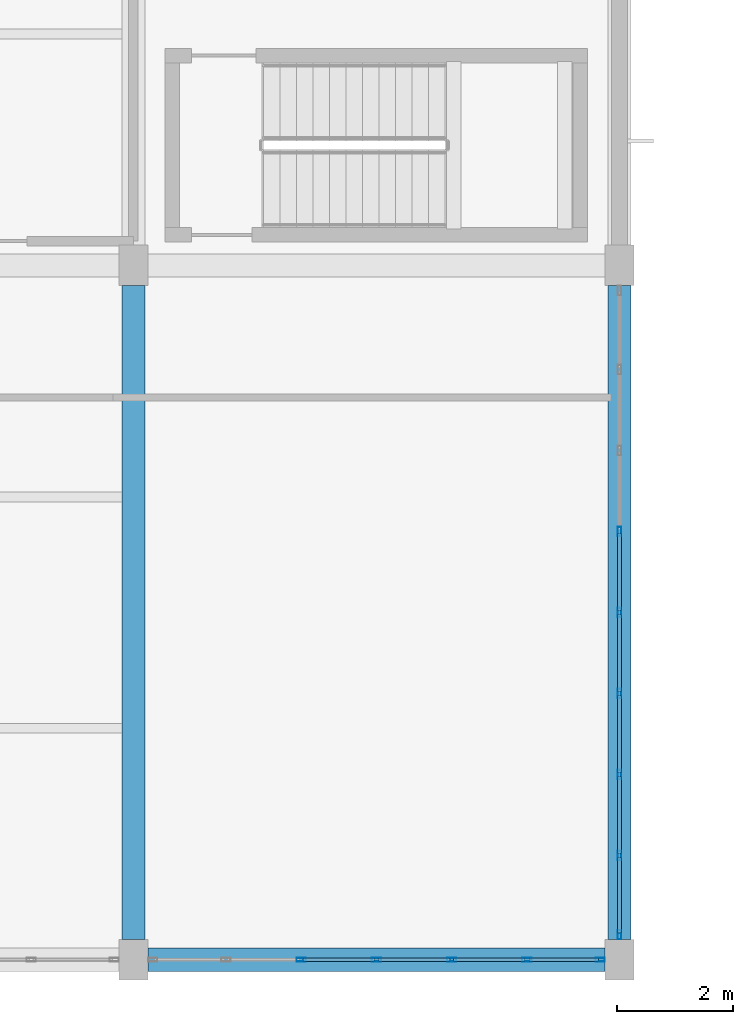
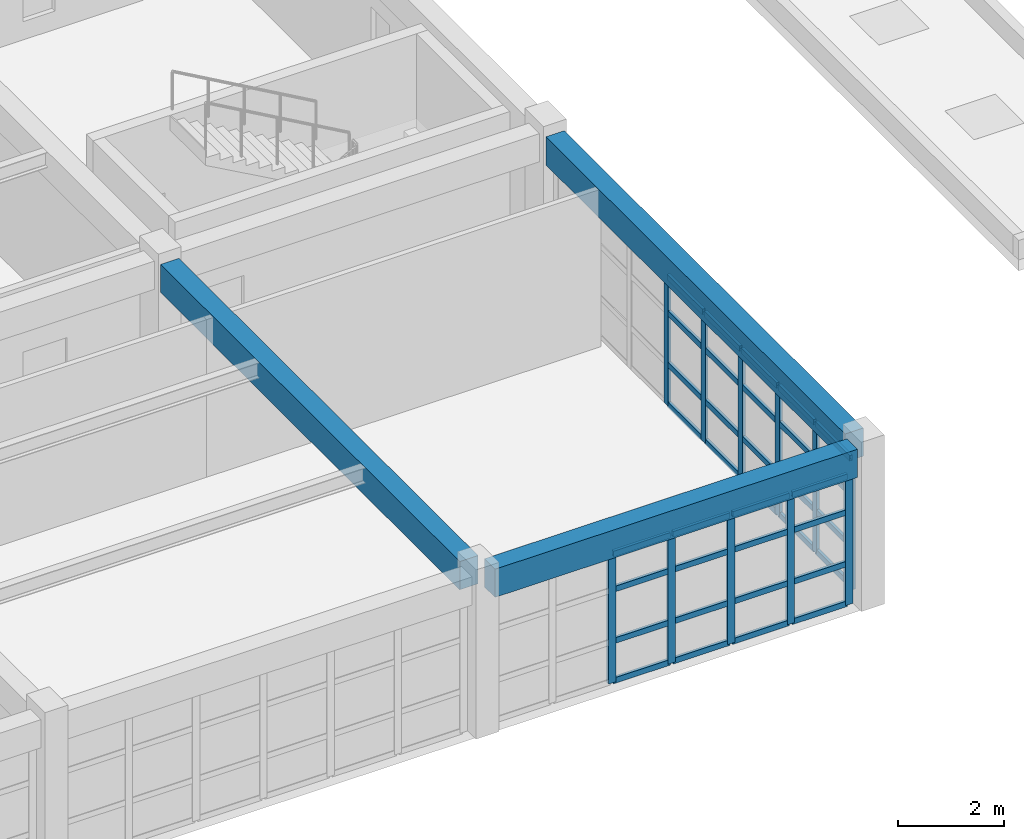
# One storey, part 32 of 150: 47 members, 3 beams, 2 elements without a shape of their own.
"""IFC4 building model written with IfcOpenShell, lengths in metres."""

from ifc_helpers import new_model, si_unit, direction, frame, origin, origin_2d, place, context, subcontext, project, spatial, rectangle, hollow_rectangle, extrude, material, material_profile, profile_set, type_object, element, aggregate, save


model = new_model("IFC4")

# Units and contexts
model_context = context("Model", 3, precision=1e-05, world=origin(), true_north=direction((0.0, 1.0)))
body_context = subcontext(model_context, "Body", "Model", "MODEL_VIEW")
ifc_project = project(units=[si_unit("LENGTHUNIT", "METRE"), si_unit("AREAUNIT", "SQUARE_METRE"), si_unit("VOLUMEUNIT", "CUBIC_METRE"), si_unit("PLANEANGLEUNIT", "RADIAN"), si_unit("MASSUNIT", "GRAM", prefix="KILO")], contexts=[model_context])

# Site, building, storey
site_placement = place(None, origin())
site = spatial("IfcSite", under=ifc_project, at=site_placement, CompositionType="ELEMENT")
building_placement = place(site_placement, origin())
building = spatial("IfcBuilding", under=site, at=building_placement, Name="Kestramere Prow Commons", CompositionType="ELEMENT")
storey_placement = place(building_placement, frame((0.0, 0.0, 4.5)))
storey = spatial("IfcBuildingStorey", under=building, at=storey_placement, Name="L01", CompositionType="ELEMENT", Elevation=4.5)

# Beams
ifc_material_1 = material(Name="Precast concrete C40/50", Category="concrete")
ifc_material_profile_1 = material_profile(ifc_material_1, rectangle(XDim=0.39990234375, YDim=0.64990234375, at=origin_2d()), Name="PC-BM 400x650")
ifc_profile_set_1 = profile_set([ifc_material_profile_1], Name="Precast concrete C40/50")
beam_type_1 = type_object("IfcBeamType", Name="BM-MK-01 PC-BM 400x650", PredefinedType="BEAM", material=ifc_profile_set_1)
beam_1_placement = place(storey_placement, frame((103.60009765625, 0.35009765625, 3.324951171875), z_axis=(0.0, 1.0, 0.0), x_axis=(-1.0, 0.0, 0.0)))
element("IfcBeam", 1, at=beam_1_placement, inside=storey, type_object=beam_type_1, Name="Market Spine L01 Beam Y 6-1", PredefinedType="BEAM", context=body_context, shape_type="SweptSolid", body=[
    extrude(rectangle(XDim=0.39990234375, YDim=0.64990234375, at=origin_2d()), origin(), (0.0, 0.0, 1.0), 11.2998046875),
])
ifc_material_profile_2 = material_profile(ifc_material_1, rectangle(XDim=0.39990234375, YDim=0.64990234375, at=origin_2d()), Name="PC-BM 400x650")
ifc_profile_set_2 = profile_set([ifc_material_profile_2], Name="Precast concrete C40/50")
beam_type_2 = type_object("IfcBeamType", Name="BM-MK-01 PC-BM 400x650 (EX)", PredefinedType="BEAM", material=ifc_profile_set_2)
beam_2_placement = place(storey_placement, frame((103.85009765625, 0.0, 3.324951171875), z_axis=(1.0, 0.0, 0.0), x_axis=(0.0, 1.0, 0.0)))
element("IfcBeam", 2, at=beam_2_placement, inside=storey, type_object=beam_type_2, Name="Market Spine L01 Beam X 1-6", PredefinedType="BEAM", context=body_context, shape_type="SweptSolid", body=[
    extrude(rectangle(XDim=0.39990234375, YDim=0.64990234375, at=origin_2d()), origin(), (0.0, 0.0, 1.0), 7.89990234375),
])
beam_3_placement = place(storey_placement, frame((112.0, 0.35009765625, 3.324951171875), z_axis=(0.0, 1.0, 0.0), x_axis=(-1.0, 0.0, 0.0)))
element("IfcBeam", 3, at=beam_3_placement, inside=storey, type_object=beam_type_2, Name="Market Spine L01 Beam Y 7-1", PredefinedType="BEAM", context=body_context, shape_type="SweptSolid", body=[
    extrude(rectangle(XDim=0.39990234375, YDim=0.64990234375, at=origin_2d()), origin(), (0.0, 0.0, 1.0), 11.2998046875),
])

# Curtain wall, members
ifc_material_2 = material(Name="Anodised Aluminium and Low-E Glass", Category="aluminium")
curtain_wall_type_1 = type_object("IfcCurtainWallType", Name="CW-23 Glazed Curtain Wall 7800x2990", PredefinedType="USERDEFINED", material=ifc_material_2)
curtain_wall_1_placement = place(storey_placement, origin())
curtain_wall_1 = element("IfcCurtainWall", 4, at=curtain_wall_1_placement, inside=storey, type_object=curtain_wall_type_1, Name="Market L01 South Shopfront 6", ObjectType="GLAZED CURTAIN WALL", PredefinedType="USERDEFINED")
ifc_material_3 = material(Name="Anodised Aluminium 6063-T6", Category="aluminium")
ifc_material_profile_3 = material_profile(ifc_material_3, hollow_rectangle(XDim=0.06494140625, YDim=0.159912109375, WallThickness=0.00390625, at=origin_2d()), Name="ALU-MUL 65x160")
ifc_profile_set_3 = profile_set([ifc_material_profile_3], Name="Anodised Aluminium 6063-T6")
member_type_1 = type_object("IfcMemberType", Name="CW-MUL-65x160", PredefinedType="MULLION", material=ifc_profile_set_3)
member_1_placement = place(storey_placement, frame((111.66748046875, 0.0, 0.0), z_axis=(0.0, 0.0, 1.0), x_axis=(0.0, -1.0, 0.0)))
member_1 = element("IfcMember", 5, at=member_1_placement, type_object=member_type_1, Name="CW-23 mullion 1", PredefinedType="MULLION", context=body_context, shape_type="SweptSolid", body=[
    extrude(hollow_rectangle(XDim=0.06494140625, YDim=0.159912109375, WallThickness=0.00390625, at=origin_2d()), origin(), (0.0, 0.0, 1.0), 2.989990234375),
])
member_2_placement = place(storey_placement, frame((110.39990234375, 0.0, 0.0), z_axis=(0.0, 0.0, 1.0), x_axis=(0.0, -1.0, 0.0)))
member_2 = element("IfcMember", 6, at=member_2_placement, type_object=member_type_1, Name="CW-23 mullion 2", PredefinedType="MULLION", context=body_context, shape_type="SweptSolid", body=[
    extrude(hollow_rectangle(XDim=0.06494140625, YDim=0.159912109375, WallThickness=0.00390625, at=origin_2d()), origin(), (0.0, 0.0, 1.0), 2.989990234375),
])
member_3_placement = place(storey_placement, frame((109.10009765625, 0.0, 0.0), z_axis=(0.0, 0.0, 1.0), x_axis=(0.0, -1.0, 0.0)))
member_3 = element("IfcMember", 7, at=member_3_placement, type_object=member_type_1, Name="CW-23 mullion 3", PredefinedType="MULLION", context=body_context, shape_type="SweptSolid", body=[
    extrude(hollow_rectangle(XDim=0.06494140625, YDim=0.159912109375, WallThickness=0.00390625, at=origin_2d()), origin(), (0.0, 0.0, 1.0), 2.989990234375),
])
member_4_placement = place(storey_placement, frame((107.800048828125, 0.0, 0.0), z_axis=(0.0, 0.0, 1.0), x_axis=(0.0, -1.0, 0.0)))
member_4 = element("IfcMember", 8, at=member_4_placement, type_object=member_type_1, Name="CW-23 mullion 4", PredefinedType="MULLION", context=body_context, shape_type="SweptSolid", body=[
    extrude(hollow_rectangle(XDim=0.06494140625, YDim=0.159912109375, WallThickness=0.00390625, at=origin_2d()), origin(), (0.0, 0.0, 1.0), 2.989990234375),
])
member_5_placement = place(storey_placement, frame((106.5, 0.0, 0.0), z_axis=(0.0, 0.0, 1.0), x_axis=(0.0, -1.0, 0.0)))
member_5 = element("IfcMember", 9, at=member_5_placement, type_object=member_type_1, Name="CW-23 mullion 5", PredefinedType="MULLION", context=body_context, shape_type="SweptSolid", body=[
    extrude(hollow_rectangle(XDim=0.06494140625, YDim=0.159912109375, WallThickness=0.00390625, at=origin_2d()), origin(), (0.0, 0.0, 1.0), 2.989990234375),
])

curtain_wall_type_2 = type_object("IfcCurtainWallType", Name="CW-27 Glazed Curtain Wall 11200x2990", PredefinedType="USERDEFINED", material=ifc_material_2)
curtain_wall_2_placement = place(storey_placement, origin())
curtain_wall_2 = element("IfcCurtainWall", 10, at=curtain_wall_2_placement, inside=storey, type_object=curtain_wall_type_2, Name="Market L01 E Glazing", ObjectType="GLAZED CURTAIN WALL", PredefinedType="USERDEFINED")
member_6_placement = place(storey_placement, frame((112.0, 7.39990234375, 0.0), z_axis=(0.0, 0.0, 1.0), x_axis=(1.0, 0.0, 0.0)))
member_6 = element("IfcMember", 11, at=member_6_placement, type_object=member_type_1, Name="CW-27 mullion 4", PredefinedType="MULLION", context=body_context, shape_type="SweptSolid", body=[
    extrude(hollow_rectangle(XDim=0.06494140625, YDim=0.159912109375, WallThickness=0.00390625, at=origin_2d()), origin(), (0.0, 0.0, 1.0), 2.989990234375),
])
member_7_placement = place(storey_placement, frame((112.0, 6.0, 0.0), z_axis=(0.0, 0.0, 1.0), x_axis=(1.0, 0.0, 0.0)))
member_7 = element("IfcMember", 12, at=member_7_placement, type_object=member_type_1, Name="CW-27 mullion 5", PredefinedType="MULLION", context=body_context, shape_type="SweptSolid", body=[
    extrude(hollow_rectangle(XDim=0.06494140625, YDim=0.159912109375, WallThickness=0.00390625, at=origin_2d()), origin(), (0.0, 0.0, 1.0), 2.989990234375),
])
member_8_placement = place(storey_placement, frame((112.0, 4.60009765625, 0.0), z_axis=(0.0, 0.0, 1.0), x_axis=(1.0, 0.0, 0.0)))
member_8 = element("IfcMember", 13, at=member_8_placement, type_object=member_type_1, Name="CW-27 mullion 6", PredefinedType="MULLION", context=body_context, shape_type="SweptSolid", body=[
    extrude(hollow_rectangle(XDim=0.06494140625, YDim=0.159912109375, WallThickness=0.00390625, at=origin_2d()), origin(), (0.0, 0.0, 1.0), 2.989990234375),
])
member_9_placement = place(storey_placement, frame((112.0, 3.199951171875, 0.0), z_axis=(0.0, 0.0, 1.0), x_axis=(1.0, 0.0, 0.0)))
member_9 = element("IfcMember", 14, at=member_9_placement, type_object=member_type_1, Name="CW-27 mullion 7", PredefinedType="MULLION", context=body_context, shape_type="SweptSolid", body=[
    extrude(hollow_rectangle(XDim=0.06494140625, YDim=0.159912109375, WallThickness=0.00390625, at=origin_2d()), origin(), (0.0, 0.0, 1.0), 2.989990234375),
])
member_10_placement = place(storey_placement, frame((112.0, 1.800048828125, 0.0), z_axis=(0.0, 0.0, 1.0), x_axis=(1.0, 0.0, 0.0)))
member_10 = element("IfcMember", 15, at=member_10_placement, type_object=member_type_1, Name="CW-27 mullion 8", PredefinedType="MULLION", context=body_context, shape_type="SweptSolid", body=[
    extrude(hollow_rectangle(XDim=0.06494140625, YDim=0.159912109375, WallThickness=0.00390625, at=origin_2d()), origin(), (0.0, 0.0, 1.0), 2.989990234375),
])
member_11_placement = place(storey_placement, frame((112.0, 0.4326171875, 0.0), z_axis=(0.0, 0.0, 1.0), x_axis=(1.0, 0.0, 0.0)))
member_11 = element("IfcMember", 16, at=member_11_placement, type_object=member_type_1, Name="CW-27 mullion 9", PredefinedType="MULLION", context=body_context, shape_type="SweptSolid", body=[
    extrude(hollow_rectangle(XDim=0.06494140625, YDim=0.159912109375, WallThickness=0.00390625, at=origin_2d()), origin(), (0.0, 0.0, 1.0), 2.989990234375),
])

# Member
ifc_material_profile_4 = material_profile(ifc_material_3, hollow_rectangle(XDim=0.06494140625, YDim=0.1298828125, WallThickness=0.00390625, at=origin_2d()), Name="ALU-TRN 65x130")
ifc_profile_set_4 = profile_set([ifc_material_profile_4], Name="Anodised Aluminium 6063-T6")
member_type_2 = type_object("IfcMemberType", Name="CW-TRN-65x130", PredefinedType="USERDEFINED", material=ifc_profile_set_4)
member_12_placement = place(storey_placement, frame((111.635009765625, 0.0, 0.032470703125), z_axis=(-1.0, 0.0, 0.0), x_axis=(0.0, -1.0, 0.0)))
member_12 = element("IfcMember", 17, at=member_12_placement, type_object=member_type_2, Name="CW-23 transom 1.1", ObjectType="TRANSOM", PredefinedType="USERDEFINED", context=body_context, shape_type="SweptSolid", body=[
    extrude(hollow_rectangle(XDim=0.06494140625, YDim=0.1298828125, WallThickness=0.00390625, at=origin_2d()), origin(), (0.0, 0.0, 1.0), 1.202392578125),
])

member_13_placement = place(storey_placement, frame((111.635009765625, 0.0, 0.949951171875), z_axis=(-1.0, 0.0, 0.0), x_axis=(0.0, -1.0, 0.0)))
member_13 = element("IfcMember", 18, at=member_13_placement, type_object=member_type_2, Name="CW-23 transom 1.2", ObjectType="TRANSOM", PredefinedType="USERDEFINED", context=body_context, shape_type="SweptSolid", body=[
    extrude(hollow_rectangle(XDim=0.06494140625, YDim=0.1298828125, WallThickness=0.00390625, at=origin_2d()), origin(), (0.0, 0.0, 1.0), 1.202392578125),
])

member_14_placement = place(storey_placement, frame((111.635009765625, 0.0, 2.139892578125), z_axis=(-1.0, 0.0, 0.0), x_axis=(0.0, -1.0, 0.0)))
member_14 = element("IfcMember", 19, at=member_14_placement, type_object=member_type_2, Name="CW-23 transom 1.3", ObjectType="TRANSOM", PredefinedType="USERDEFINED", context=body_context, shape_type="SweptSolid", body=[
    extrude(hollow_rectangle(XDim=0.06494140625, YDim=0.1298828125, WallThickness=0.00390625, at=origin_2d()), origin(), (0.0, 0.0, 1.0), 1.202392578125),
])

member_15_placement = place(storey_placement, frame((111.635009765625, 0.0, 2.95751953125), z_axis=(-1.0, 0.0, 0.0), x_axis=(0.0, -1.0, 0.0)))
member_15 = element("IfcMember", 20, at=member_15_placement, type_object=member_type_2, Name="CW-23 transom 1.4", ObjectType="TRANSOM", PredefinedType="USERDEFINED", context=body_context, shape_type="SweptSolid", body=[
    extrude(hollow_rectangle(XDim=0.06494140625, YDim=0.1298828125, WallThickness=0.00390625, at=origin_2d()), origin(), (0.0, 0.0, 1.0), 1.202392578125),
])

member_16_placement = place(storey_placement, frame((110.367431640625, 0.0, 0.032470703125), z_axis=(-1.0, 0.0, 0.0), x_axis=(0.0, -1.0, 0.0)))
member_16 = element("IfcMember", 21, at=member_16_placement, type_object=member_type_2, Name="CW-23 transom 2.1", ObjectType="TRANSOM", PredefinedType="USERDEFINED", context=body_context, shape_type="SweptSolid", body=[
    extrude(hollow_rectangle(XDim=0.06494140625, YDim=0.1298828125, WallThickness=0.00390625, at=origin_2d()), origin(), (0.0, 0.0, 1.0), 1.23486328125),
])

member_17_placement = place(storey_placement, frame((110.367431640625, 0.0, 0.949951171875), z_axis=(-1.0, 0.0, 0.0), x_axis=(0.0, -1.0, 0.0)))
member_17 = element("IfcMember", 22, at=member_17_placement, type_object=member_type_2, Name="CW-23 transom 2.2", ObjectType="TRANSOM", PredefinedType="USERDEFINED", context=body_context, shape_type="SweptSolid", body=[
    extrude(hollow_rectangle(XDim=0.06494140625, YDim=0.1298828125, WallThickness=0.00390625, at=origin_2d()), origin(), (0.0, 0.0, 1.0), 1.23486328125),
])

member_18_placement = place(storey_placement, frame((110.367431640625, 0.0, 2.139892578125), z_axis=(-1.0, 0.0, 0.0), x_axis=(0.0, -1.0, 0.0)))
member_18 = element("IfcMember", 23, at=member_18_placement, type_object=member_type_2, Name="CW-23 transom 2.3", ObjectType="TRANSOM", PredefinedType="USERDEFINED", context=body_context, shape_type="SweptSolid", body=[
    extrude(hollow_rectangle(XDim=0.06494140625, YDim=0.1298828125, WallThickness=0.00390625, at=origin_2d()), origin(), (0.0, 0.0, 1.0), 1.23486328125),
])

member_19_placement = place(storey_placement, frame((110.367431640625, 0.0, 2.95751953125), z_axis=(-1.0, 0.0, 0.0), x_axis=(0.0, -1.0, 0.0)))
member_19 = element("IfcMember", 24, at=member_19_placement, type_object=member_type_2, Name="CW-23 transom 2.4", ObjectType="TRANSOM", PredefinedType="USERDEFINED", context=body_context, shape_type="SweptSolid", body=[
    extrude(hollow_rectangle(XDim=0.06494140625, YDim=0.1298828125, WallThickness=0.00390625, at=origin_2d()), origin(), (0.0, 0.0, 1.0), 1.23486328125),
])

member_20_placement = place(storey_placement, frame((109.0673828125, 0.0, 0.032470703125), z_axis=(-1.0, 0.0, 0.0), x_axis=(0.0, -1.0, 0.0)))
member_20 = element("IfcMember", 25, at=member_20_placement, type_object=member_type_2, Name="CW-23 transom 3.1", ObjectType="TRANSOM", PredefinedType="USERDEFINED", context=body_context, shape_type="SweptSolid", body=[
    extrude(hollow_rectangle(XDim=0.06494140625, YDim=0.1298828125, WallThickness=0.00390625, at=origin_2d()), origin(), (0.0, 0.0, 1.0), 1.23486328125),
])

member_21_placement = place(storey_placement, frame((109.0673828125, 0.0, 0.949951171875), z_axis=(-1.0, 0.0, 0.0), x_axis=(0.0, -1.0, 0.0)))
member_21 = element("IfcMember", 26, at=member_21_placement, type_object=member_type_2, Name="CW-23 transom 3.2", ObjectType="TRANSOM", PredefinedType="USERDEFINED", context=body_context, shape_type="SweptSolid", body=[
    extrude(hollow_rectangle(XDim=0.06494140625, YDim=0.1298828125, WallThickness=0.00390625, at=origin_2d()), origin(), (0.0, 0.0, 1.0), 1.23486328125),
])

member_22_placement = place(storey_placement, frame((109.0673828125, 0.0, 2.139892578125), z_axis=(-1.0, 0.0, 0.0), x_axis=(0.0, -1.0, 0.0)))
member_22 = element("IfcMember", 27, at=member_22_placement, type_object=member_type_2, Name="CW-23 transom 3.3", ObjectType="TRANSOM", PredefinedType="USERDEFINED", context=body_context, shape_type="SweptSolid", body=[
    extrude(hollow_rectangle(XDim=0.06494140625, YDim=0.1298828125, WallThickness=0.00390625, at=origin_2d()), origin(), (0.0, 0.0, 1.0), 1.23486328125),
])

member_23_placement = place(storey_placement, frame((109.0673828125, 0.0, 2.95751953125), z_axis=(-1.0, 0.0, 0.0), x_axis=(0.0, -1.0, 0.0)))
member_23 = element("IfcMember", 28, at=member_23_placement, type_object=member_type_2, Name="CW-23 transom 3.4", ObjectType="TRANSOM", PredefinedType="USERDEFINED", context=body_context, shape_type="SweptSolid", body=[
    extrude(hollow_rectangle(XDim=0.06494140625, YDim=0.1298828125, WallThickness=0.00390625, at=origin_2d()), origin(), (0.0, 0.0, 1.0), 1.23486328125),
])

member_24_placement = place(storey_placement, frame((107.767578125, 0.0, 0.032470703125), z_axis=(-1.0, 0.0, 0.0), x_axis=(0.0, -1.0, 0.0)))
member_24 = element("IfcMember", 29, at=member_24_placement, type_object=member_type_2, Name="CW-23 transom 4.1", ObjectType="TRANSOM", PredefinedType="USERDEFINED", context=body_context, shape_type="SweptSolid", body=[
    extrude(hollow_rectangle(XDim=0.06494140625, YDim=0.1298828125, WallThickness=0.00390625, at=origin_2d()), origin(), (0.0, 0.0, 1.0), 1.235107421875),
])

member_25_placement = place(storey_placement, frame((107.767578125, 0.0, 0.949951171875), z_axis=(-1.0, 0.0, 0.0), x_axis=(0.0, -1.0, 0.0)))
member_25 = element("IfcMember", 30, at=member_25_placement, type_object=member_type_2, Name="CW-23 transom 4.2", ObjectType="TRANSOM", PredefinedType="USERDEFINED", context=body_context, shape_type="SweptSolid", body=[
    extrude(hollow_rectangle(XDim=0.06494140625, YDim=0.1298828125, WallThickness=0.00390625, at=origin_2d()), origin(), (0.0, 0.0, 1.0), 1.235107421875),
])

member_26_placement = place(storey_placement, frame((107.767578125, 0.0, 2.139892578125), z_axis=(-1.0, 0.0, 0.0), x_axis=(0.0, -1.0, 0.0)))
member_26 = element("IfcMember", 31, at=member_26_placement, type_object=member_type_2, Name="CW-23 transom 4.3", ObjectType="TRANSOM", PredefinedType="USERDEFINED", context=body_context, shape_type="SweptSolid", body=[
    extrude(hollow_rectangle(XDim=0.06494140625, YDim=0.1298828125, WallThickness=0.00390625, at=origin_2d()), origin(), (0.0, 0.0, 1.0), 1.235107421875),
])

member_27_placement = place(storey_placement, frame((107.767578125, 0.0, 2.95751953125), z_axis=(-1.0, 0.0, 0.0), x_axis=(0.0, -1.0, 0.0)))
member_27 = element("IfcMember", 32, at=member_27_placement, type_object=member_type_2, Name="CW-23 transom 4.4", ObjectType="TRANSOM", PredefinedType="USERDEFINED", context=body_context, shape_type="SweptSolid", body=[
    extrude(hollow_rectangle(XDim=0.06494140625, YDim=0.1298828125, WallThickness=0.00390625, at=origin_2d()), origin(), (0.0, 0.0, 1.0), 1.235107421875),
])

aggregate(curtain_wall_1, [member_1, member_2, member_3, member_4, member_5, member_12, member_13, member_14, member_15, member_16, member_17, member_18, member_19, member_20, member_21, member_22, member_23, member_24, member_25, member_26, member_27])

member_28_placement = place(storey_placement, frame((112.0, 7.367431640625, 0.032470703125), z_axis=(0.0, -1.0, 0.0), x_axis=(1.0, 0.0, 0.0)))
member_28 = element("IfcMember", 33, at=member_28_placement, type_object=member_type_2, Name="CW-27 transom 4.1", ObjectType="TRANSOM", PredefinedType="USERDEFINED", context=body_context, shape_type="SweptSolid", body=[
    extrude(hollow_rectangle(XDim=0.06494140625, YDim=0.1298828125, WallThickness=0.00390625, at=origin_2d()), origin(), (0.0, 0.0, 1.0), 1.3349609375),
])

member_29_placement = place(storey_placement, frame((112.0, 7.367431640625, 0.949951171875), z_axis=(0.0, -1.0, 0.0), x_axis=(1.0, 0.0, 0.0)))
member_29 = element("IfcMember", 34, at=member_29_placement, type_object=member_type_2, Name="CW-27 transom 4.2", ObjectType="TRANSOM", PredefinedType="USERDEFINED", context=body_context, shape_type="SweptSolid", body=[
    extrude(hollow_rectangle(XDim=0.06494140625, YDim=0.1298828125, WallThickness=0.00390625, at=origin_2d()), origin(), (0.0, 0.0, 1.0), 1.3349609375),
])

member_30_placement = place(storey_placement, frame((112.0, 7.367431640625, 2.139892578125), z_axis=(0.0, -1.0, 0.0), x_axis=(1.0, 0.0, 0.0)))
member_30 = element("IfcMember", 35, at=member_30_placement, type_object=member_type_2, Name="CW-27 transom 4.3", ObjectType="TRANSOM", PredefinedType="USERDEFINED", context=body_context, shape_type="SweptSolid", body=[
    extrude(hollow_rectangle(XDim=0.06494140625, YDim=0.1298828125, WallThickness=0.00390625, at=origin_2d()), origin(), (0.0, 0.0, 1.0), 1.3349609375),
])

member_31_placement = place(storey_placement, frame((112.0, 7.367431640625, 2.95751953125), z_axis=(0.0, -1.0, 0.0), x_axis=(1.0, 0.0, 0.0)))
member_31 = element("IfcMember", 36, at=member_31_placement, type_object=member_type_2, Name="CW-27 transom 4.4", ObjectType="TRANSOM", PredefinedType="USERDEFINED", context=body_context, shape_type="SweptSolid", body=[
    extrude(hollow_rectangle(XDim=0.06494140625, YDim=0.1298828125, WallThickness=0.00390625, at=origin_2d()), origin(), (0.0, 0.0, 1.0), 1.3349609375),
])

member_32_placement = place(storey_placement, frame((112.0, 5.967529296875, 0.032470703125), z_axis=(0.0, -1.0, 0.0), x_axis=(1.0, 0.0, 0.0)))
member_32 = element("IfcMember", 37, at=member_32_placement, type_object=member_type_2, Name="CW-27 transom 5.1", ObjectType="TRANSOM", PredefinedType="USERDEFINED", context=body_context, shape_type="SweptSolid", body=[
    extrude(hollow_rectangle(XDim=0.06494140625, YDim=0.1298828125, WallThickness=0.00390625, at=origin_2d()), origin(), (0.0, 0.0, 1.0), 1.3349609375),
])

member_33_placement = place(storey_placement, frame((112.0, 5.967529296875, 0.949951171875), z_axis=(0.0, -1.0, 0.0), x_axis=(1.0, 0.0, 0.0)))
member_33 = element("IfcMember", 38, at=member_33_placement, type_object=member_type_2, Name="CW-27 transom 5.2", ObjectType="TRANSOM", PredefinedType="USERDEFINED", context=body_context, shape_type="SweptSolid", body=[
    extrude(hollow_rectangle(XDim=0.06494140625, YDim=0.1298828125, WallThickness=0.00390625, at=origin_2d()), origin(), (0.0, 0.0, 1.0), 1.3349609375),
])

member_34_placement = place(storey_placement, frame((112.0, 5.967529296875, 2.139892578125), z_axis=(0.0, -1.0, 0.0), x_axis=(1.0, 0.0, 0.0)))
member_34 = element("IfcMember", 39, at=member_34_placement, type_object=member_type_2, Name="CW-27 transom 5.3", ObjectType="TRANSOM", PredefinedType="USERDEFINED", context=body_context, shape_type="SweptSolid", body=[
    extrude(hollow_rectangle(XDim=0.06494140625, YDim=0.1298828125, WallThickness=0.00390625, at=origin_2d()), origin(), (0.0, 0.0, 1.0), 1.3349609375),
])

member_35_placement = place(storey_placement, frame((112.0, 5.967529296875, 2.95751953125), z_axis=(0.0, -1.0, 0.0), x_axis=(1.0, 0.0, 0.0)))
member_35 = element("IfcMember", 40, at=member_35_placement, type_object=member_type_2, Name="CW-27 transom 5.4", ObjectType="TRANSOM", PredefinedType="USERDEFINED", context=body_context, shape_type="SweptSolid", body=[
    extrude(hollow_rectangle(XDim=0.06494140625, YDim=0.1298828125, WallThickness=0.00390625, at=origin_2d()), origin(), (0.0, 0.0, 1.0), 1.3349609375),
])

member_36_placement = place(storey_placement, frame((112.0, 4.5673828125, 0.032470703125), z_axis=(0.0, -1.0, 0.0), x_axis=(1.0, 0.0, 0.0)))
member_36 = element("IfcMember", 41, at=member_36_placement, type_object=member_type_2, Name="CW-27 transom 6.1", ObjectType="TRANSOM", PredefinedType="USERDEFINED", context=body_context, shape_type="SweptSolid", body=[
    extrude(hollow_rectangle(XDim=0.06494140625, YDim=0.1298828125, WallThickness=0.00390625, at=origin_2d()), origin(), (0.0, 0.0, 1.0), 1.3349609375),
])

member_37_placement = place(storey_placement, frame((112.0, 4.5673828125, 0.949951171875), z_axis=(0.0, -1.0, 0.0), x_axis=(1.0, 0.0, 0.0)))
member_37 = element("IfcMember", 42, at=member_37_placement, type_object=member_type_2, Name="CW-27 transom 6.2", ObjectType="TRANSOM", PredefinedType="USERDEFINED", context=body_context, shape_type="SweptSolid", body=[
    extrude(hollow_rectangle(XDim=0.06494140625, YDim=0.1298828125, WallThickness=0.00390625, at=origin_2d()), origin(), (0.0, 0.0, 1.0), 1.3349609375),
])

member_38_placement = place(storey_placement, frame((112.0, 4.5673828125, 2.139892578125), z_axis=(0.0, -1.0, 0.0), x_axis=(1.0, 0.0, 0.0)))
member_38 = element("IfcMember", 43, at=member_38_placement, type_object=member_type_2, Name="CW-27 transom 6.3", ObjectType="TRANSOM", PredefinedType="USERDEFINED", context=body_context, shape_type="SweptSolid", body=[
    extrude(hollow_rectangle(XDim=0.06494140625, YDim=0.1298828125, WallThickness=0.00390625, at=origin_2d()), origin(), (0.0, 0.0, 1.0), 1.3349609375),
])

member_39_placement = place(storey_placement, frame((112.0, 4.5673828125, 2.95751953125), z_axis=(0.0, -1.0, 0.0), x_axis=(1.0, 0.0, 0.0)))
member_39 = element("IfcMember", 44, at=member_39_placement, type_object=member_type_2, Name="CW-27 transom 6.4", ObjectType="TRANSOM", PredefinedType="USERDEFINED", context=body_context, shape_type="SweptSolid", body=[
    extrude(hollow_rectangle(XDim=0.06494140625, YDim=0.1298828125, WallThickness=0.00390625, at=origin_2d()), origin(), (0.0, 0.0, 1.0), 1.3349609375),
])

member_40_placement = place(storey_placement, frame((112.0, 3.16748046875, 0.032470703125), z_axis=(0.0, -1.0, 0.0), x_axis=(1.0, 0.0, 0.0)))
member_40 = element("IfcMember", 45, at=member_40_placement, type_object=member_type_2, Name="CW-27 transom 7.1", ObjectType="TRANSOM", PredefinedType="USERDEFINED", context=body_context, shape_type="SweptSolid", body=[
    extrude(hollow_rectangle(XDim=0.06494140625, YDim=0.1298828125, WallThickness=0.00390625, at=origin_2d()), origin(), (0.0, 0.0, 1.0), 1.3349609375),
])

member_41_placement = place(storey_placement, frame((112.0, 3.16748046875, 0.949951171875), z_axis=(0.0, -1.0, 0.0), x_axis=(1.0, 0.0, 0.0)))
member_41 = element("IfcMember", 46, at=member_41_placement, type_object=member_type_2, Name="CW-27 transom 7.2", ObjectType="TRANSOM", PredefinedType="USERDEFINED", context=body_context, shape_type="SweptSolid", body=[
    extrude(hollow_rectangle(XDim=0.06494140625, YDim=0.1298828125, WallThickness=0.00390625, at=origin_2d()), origin(), (0.0, 0.0, 1.0), 1.3349609375),
])

member_42_placement = place(storey_placement, frame((112.0, 3.16748046875, 2.139892578125), z_axis=(0.0, -1.0, 0.0), x_axis=(1.0, 0.0, 0.0)))
member_42 = element("IfcMember", 47, at=member_42_placement, type_object=member_type_2, Name="CW-27 transom 7.3", ObjectType="TRANSOM", PredefinedType="USERDEFINED", context=body_context, shape_type="SweptSolid", body=[
    extrude(hollow_rectangle(XDim=0.06494140625, YDim=0.1298828125, WallThickness=0.00390625, at=origin_2d()), origin(), (0.0, 0.0, 1.0), 1.3349609375),
])

member_43_placement = place(storey_placement, frame((112.0, 3.16748046875, 2.95751953125), z_axis=(0.0, -1.0, 0.0), x_axis=(1.0, 0.0, 0.0)))
member_43 = element("IfcMember", 48, at=member_43_placement, type_object=member_type_2, Name="CW-27 transom 7.4", ObjectType="TRANSOM", PredefinedType="USERDEFINED", context=body_context, shape_type="SweptSolid", body=[
    extrude(hollow_rectangle(XDim=0.06494140625, YDim=0.1298828125, WallThickness=0.00390625, at=origin_2d()), origin(), (0.0, 0.0, 1.0), 1.3349609375),
])

member_44_placement = place(storey_placement, frame((112.0, 1.767578125, 0.032470703125), z_axis=(0.0, -1.0, 0.0), x_axis=(1.0, 0.0, 0.0)))
member_44 = element("IfcMember", 49, at=member_44_placement, type_object=member_type_2, Name="CW-27 transom 8.1", ObjectType="TRANSOM", PredefinedType="USERDEFINED", context=body_context, shape_type="SweptSolid", body=[
    extrude(hollow_rectangle(XDim=0.06494140625, YDim=0.1298828125, WallThickness=0.00390625, at=origin_2d()), origin(), (0.0, 0.0, 1.0), 1.302490234375),
])

member_45_placement = place(storey_placement, frame((112.0, 1.767578125, 0.949951171875), z_axis=(0.0, -1.0, 0.0), x_axis=(1.0, 0.0, 0.0)))
member_45 = element("IfcMember", 50, at=member_45_placement, type_object=member_type_2, Name="CW-27 transom 8.2", ObjectType="TRANSOM", PredefinedType="USERDEFINED", context=body_context, shape_type="SweptSolid", body=[
    extrude(hollow_rectangle(XDim=0.06494140625, YDim=0.1298828125, WallThickness=0.00390625, at=origin_2d()), origin(), (0.0, 0.0, 1.0), 1.302490234375),
])

member_46_placement = place(storey_placement, frame((112.0, 1.767578125, 2.139892578125), z_axis=(0.0, -1.0, 0.0), x_axis=(1.0, 0.0, 0.0)))
member_46 = element("IfcMember", 51, at=member_46_placement, type_object=member_type_2, Name="CW-27 transom 8.3", ObjectType="TRANSOM", PredefinedType="USERDEFINED", context=body_context, shape_type="SweptSolid", body=[
    extrude(hollow_rectangle(XDim=0.06494140625, YDim=0.1298828125, WallThickness=0.00390625, at=origin_2d()), origin(), (0.0, 0.0, 1.0), 1.302490234375),
])

member_47_placement = place(storey_placement, frame((112.0, 1.767578125, 2.95751953125), z_axis=(0.0, -1.0, 0.0), x_axis=(1.0, 0.0, 0.0)))
member_47 = element("IfcMember", 52, at=member_47_placement, type_object=member_type_2, Name="CW-27 transom 8.4", ObjectType="TRANSOM", PredefinedType="USERDEFINED", context=body_context, shape_type="SweptSolid", body=[
    extrude(hollow_rectangle(XDim=0.06494140625, YDim=0.1298828125, WallThickness=0.00390625, at=origin_2d()), origin(), (0.0, 0.0, 1.0), 1.302490234375),
])

aggregate(curtain_wall_2, [member_6, member_7, member_8, member_9, member_10, member_11, member_28, member_29, member_30, member_31, member_32, member_33, member_34, member_35, member_36, member_37, member_38, member_39, member_40, member_41, member_42, member_43, member_44, member_45, member_46, member_47])

save(model, "model.ifc")
